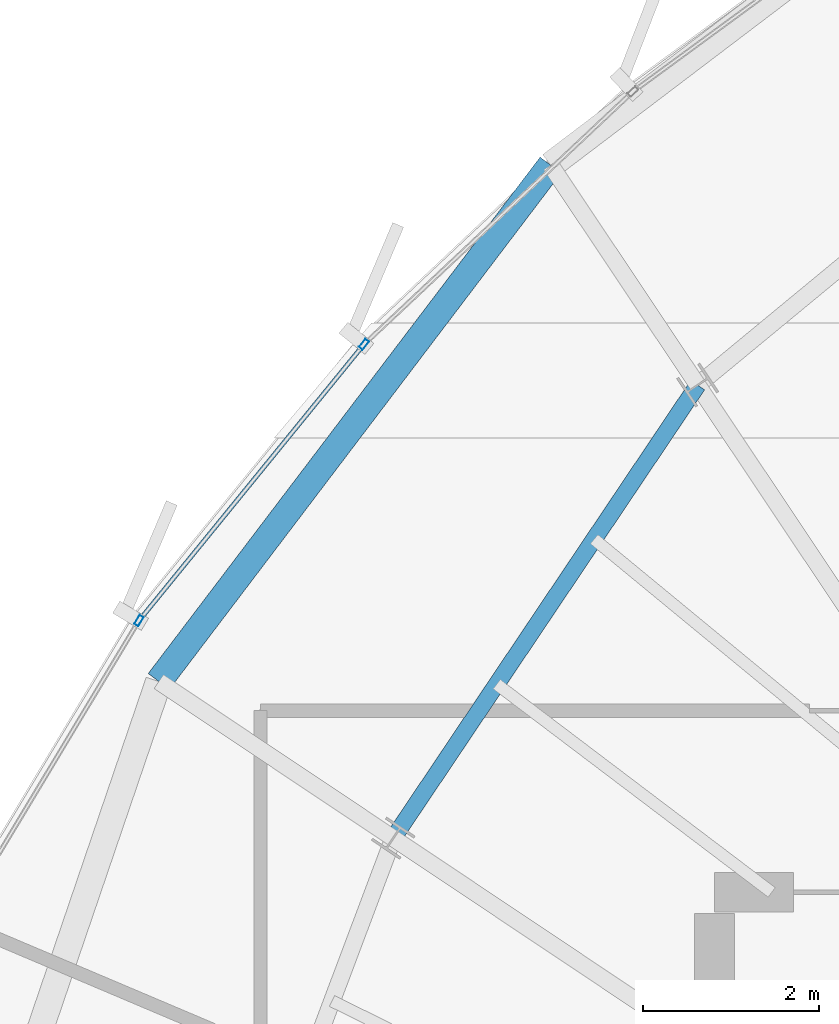
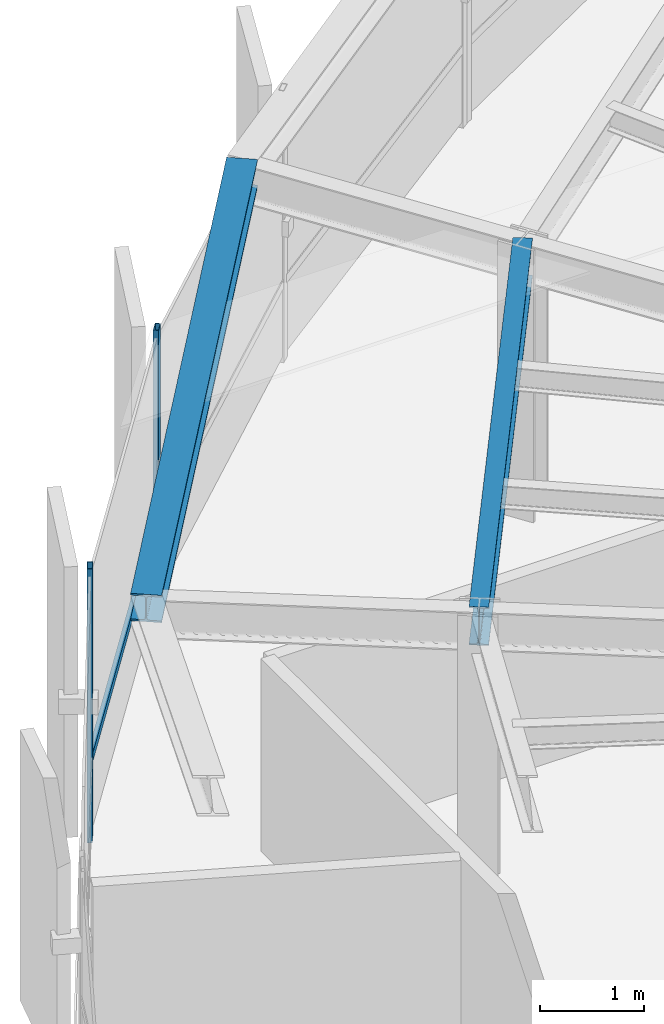
# One storey, part 18 of 33: 3 members, 2 beams, 1 element without a shape of its own.
"""IFC4 building model written with IfcOpenShell, lengths in metres."""

import ifcopenshell
import ifcopenshell.guid

model = None  # the IFC model being written
_history = None  # IfcOwnerHistory: only IFC2X3 demands one
_inside = {}  # id of a spatial element -> (the spatial element, [elements in it])
_under = {}  # id of a project, library or spatial element -> (it, [spatial elements below it])
_declared = {}  # id of a project -> (the project, [libraries it declares])
_typed = {}  # id of a type object -> (the type object, [elements of that type])
_made_of = {}  # id of a material, layer set ... -> (it, [elements and type objects made of it])


def new_model(schema):
    """Start an empty IFC model of exactly this schema.

    Asked for "IFC4X3", IfcOpenShell would pick the latest addendum, in which some entities
    have other attributes; the version numbers below select the first issue.
    IFC2X3 requires an IfcOwnerHistory on every rooted entity: one is made here for all.
    """
    global model, _history
    if schema == "IFC4X3":
        model = ifcopenshell.file(schema_version=(4, 3, 0, 0))
    else:
        model = ifcopenshell.file(schema=schema)
    _inside.clear()
    _under.clear()
    _declared.clear()
    _typed.clear()
    _made_of.clear()
    _history = None
    if model.schema == "IFC2X3":
        org = make("IfcOrganization", Name="unknown")
        user = make(
            "IfcPersonAndOrganization",
            ThePerson=make("IfcPerson", FamilyName="unknown"),
            TheOrganization=org,
        )
        app = make(
            "IfcApplication",
            ApplicationDeveloper=org,
            Version="unknown",
            ApplicationFullName="unknown",
            ApplicationIdentifier="unknown",
        )
        _history = make(
            "IfcOwnerHistory",
            OwningUser=user,
            OwningApplication=app,
            ChangeAction="ADDED",
            CreationDate=0,
        )
    return model


def make(cls, **values):
    """One entity of the class cls with the attributes given. An attribute that is None is left unset."""
    return model.create_entity(
        cls, **{name: value for name, value in values.items() if value is not None}
    )


def rooted(cls, **values):
    """An entity with a GlobalId (a new one), such as an element, a storey or a relation."""
    return make(cls, GlobalId=ifcopenshell.guid.new(), OwnerHistory=_history, **values)


def si_unit(unit_type, name, prefix=None):
    """IfcSIUnit, for example si_unit("LENGTHUNIT", "METRE", prefix="MILLI")."""
    return make("IfcSIUnit", UnitType=unit_type, Prefix=prefix, Name=name)


def assignment(units):
    """IfcUnitAssignment: the units of a project."""
    return None if units is None else make("IfcUnitAssignment", Units=units)


def point(xyz):
    """IfcCartesianPoint."""
    return None if xyz is None else make("IfcCartesianPoint", Coordinates=xyz)


def direction(xyz):
    """IfcDirection."""
    return None if xyz is None else make("IfcDirection", DirectionRatios=xyz)


def frame(location, z_axis=None, x_axis=None):
    """IfcAxis2Placement3D, a coordinate frame: its origin and axes. An axis left out is left unset."""
    return make(
        "IfcAxis2Placement3D",
        Location=point(location),
        Axis=direction(z_axis),
        RefDirection=direction(x_axis),
    )


def frame_2d(location, x_axis=None):
    """IfcAxis2Placement2D, a coordinate frame in the plane: its origin and x axis."""
    return make(
        "IfcAxis2Placement2D", Location=point(location), RefDirection=direction(x_axis)
    )


def origin():
    """The frame at (0, 0, 0) with its axes left unset."""
    return frame((0.0, 0.0, 0.0))


def origin_2d():
    """The frame at (0, 0) in the plane with its x axis left unset."""
    return frame_2d((0.0, 0.0))


def place(relative_to, where):
    """IfcLocalPlacement: puts the frame where relative to a parent placement (None: the world)."""
    return make(
        "IfcLocalPlacement", PlacementRelTo=relative_to, RelativePlacement=where
    )


def context(
    kind, dimensions, precision=None, world=None, true_north=None, identifier=None
):
    """IfcGeometricRepresentationContext, for example the 3D "Model" context."""
    return make(
        "IfcGeometricRepresentationContext",
        ContextIdentifier=identifier,
        ContextType=kind,
        CoordinateSpaceDimension=dimensions,
        Precision=precision,
        WorldCoordinateSystem=world,
        TrueNorth=true_north,
    )


def subcontext(parent, identifier, kind, view, scale=None):
    """IfcGeometricRepresentationSubContext, for example "Body" below "Model"."""
    return make(
        "IfcGeometricRepresentationSubContext",
        ContextIdentifier=identifier,
        ContextType=kind,
        ParentContext=parent,
        TargetScale=scale,
        TargetView=view,
    )


def project(units=None, contexts=None):
    """IfcProject with its units and contexts."""
    return rooted(
        "IfcProject",
        Name="project",
        RepresentationContexts=contexts,
        UnitsInContext=assignment(units),
    )


def spatial(cls, under=None, at=None, **own):
    """A site, building, storey or space (cls), placed at a placement, below another one or the project."""
    s = rooted(cls, ObjectPlacement=at, **own)
    if under is not None:
        _under.setdefault(under.id(), (under, []))[1].append(s)
    return s


def profile(cls, at=None, kind="AREA", **sizes):
    """A parametric profile (cls). Its sizes go by their IFC names, for example OverallWidth=200.0."""
    return make(cls, ProfileType=kind, Position=at, **sizes)


def hollow_rectangle(**sizes):
    """IfcRectangleHollowProfileDef."""
    return profile("IfcRectangleHollowProfileDef", **sizes)


def i_section(**sizes):
    """IfcIShapeProfileDef."""
    return profile("IfcIShapeProfileDef", **sizes)


def extrude(swept, where, along, depth):
    """IfcExtrudedAreaSolid: the profile swept, set in the frame where, extruded along a direction by depth."""
    return make(
        "IfcExtrudedAreaSolid",
        SweptArea=swept,
        Position=where,
        ExtrudedDirection=direction(along),
        Depth=depth,
    )


def shape(context_of_items, identifier, shape_type, items):
    """IfcShapeRepresentation: the items that make up one representation, for example the "Body"."""
    return make(
        "IfcShapeRepresentation",
        ContextOfItems=context_of_items,
        RepresentationIdentifier=identifier,
        RepresentationType=shape_type,
        Items=items,
    )


def source(mapping_origin, context_of_items, identifier, shape_type, items):
    """IfcRepresentationMap: a shape defined once, which mapped items show again and again."""
    return make(
        "IfcRepresentationMap",
        MappingOrigin=mapping_origin,
        MappedRepresentation=shape(context_of_items, identifier, shape_type, items),
    )


def transform(
    local_origin,
    x_axis=None,
    y_axis=None,
    z_axis=None,
    scale=None,
    scale2=None,
    scale3=None,
    uniform=True,
):
    """IfcCartesianTransformationOperator3D, or its non-uniform kind. x_axis, y_axis, z_axis: its Axis1, 2, 3."""
    if uniform:
        return make(
            "IfcCartesianTransformationOperator3D",
            Axis1=direction(x_axis),
            Axis2=direction(y_axis),
            LocalOrigin=point(local_origin),
            Scale=scale,
            Axis3=direction(z_axis),
        )
    return make(
        "IfcCartesianTransformationOperator3DnonUniform",
        Axis1=direction(x_axis),
        Axis2=direction(y_axis),
        LocalOrigin=point(local_origin),
        Scale=scale,
        Axis3=direction(z_axis),
        Scale2=scale2,
        Scale3=scale3,
    )


def mapped(mapping_source, mapping_target):
    """IfcMappedItem: shows the shape of a source again, moved by a transform."""
    return make(
        "IfcMappedItem", MappingSource=mapping_source, MappingTarget=mapping_target
    )


def material(Name=None, Category=None):
    """IfcMaterial."""
    return make("IfcMaterial", Name=Name, Category=Category)


def layer(
    of_material, thickness, ventilated=None, Name=None, Category=None, Priority=None
):
    """IfcMaterialLayer: one layer of a wall or slab, of a material (None: an air gap)."""
    return make(
        "IfcMaterialLayer",
        Material=of_material,
        LayerThickness=thickness,
        IsVentilated=ventilated,
        Name=Name,
        Category=Category,
        Priority=Priority,
    )


def layer_set(layers, Name=None):
    """IfcMaterialLayerSet."""
    return make("IfcMaterialLayerSet", MaterialLayers=layers, LayerSetName=Name)


def material_profile(
    of_material, cross_section, Name=None, Category=None, Priority=None
):
    """IfcMaterialProfile: a cross section and its material."""
    return make(
        "IfcMaterialProfile",
        Name=Name,
        Material=of_material,
        Profile=cross_section,
        Priority=Priority,
        Category=Category,
    )


def profile_set(profiles, Name=None, composite=None):
    """IfcMaterialProfileSet."""
    return make(
        "IfcMaterialProfileSet",
        Name=Name,
        MaterialProfiles=profiles,
        CompositeProfile=composite,
    )


def made_of(thing, what):
    """Note that an element or type object is made of a material, layer set ...; save() writes the relation."""
    if what is not None:
        _made_of.setdefault(what.id(), (what, []))[1].append(thing)
    return thing


def type_object(cls, material=None, **own):
    """A type object (cls), such as IfcWallType, which elements share."""
    return made_of(rooted(cls, **own), material)


def element(
    cls,
    number,
    at=None,
    inside=None,
    cuts=None,
    type_object=None,
    material=None,
    context=None,
    identifier="Body",
    shape_type=None,
    held_by="IfcProductDefinitionShape",
    body=None,
    shapes=None,
    **own,
):
    """One element of the class cls, such as IfcWall. Its Tag is "e" and its number.

    at: its placement. inside: the storey or other place that contains it. cuts: it is an
    opening in that element (IfcRelVoidsElement). A single representation is given by context,
    identifier, shape_type and body (its items); several are given by shapes. held_by: the class
    of the entity that holds the representations. save() writes the other relations.
    """
    e = rooted(cls, Tag="e%d" % number, ObjectPlacement=at, **own)
    if body is not None:
        shapes = [shape(context, identifier, shape_type, body)]
    if shapes is not None:
        e.Representation = make(held_by, Representations=shapes)
    if inside is not None:
        _inside.setdefault(inside.id(), (inside, []))[1].append(e)
    if cuts is not None:
        rooted(
            "IfcRelVoidsElement", RelatingBuildingElement=cuts, RelatedOpeningElement=e
        )
    if type_object is not None:
        _typed.setdefault(type_object.id(), (type_object, []))[1].append(e)
    return made_of(e, material)


def aggregate(whole, parts):
    """IfcRelAggregates: a whole, such as a stair, and the parts it consists of."""
    return rooted("IfcRelAggregates", RelatingObject=whole, RelatedObjects=parts)


def save(model, path):
    """Write the relations noted so far, then the file.

    IfcRelAggregates (storeys below a building ...), IfcRelContainedInSpatialStructure (elements
    in a storey), IfcRelDefinesByType, IfcRelAssociatesMaterial and IfcRelDeclares: one each for
    every whole, place, type object, material and project.
    """
    for whole, parts in _under.values():
        aggregate(whole, parts)
    for where, things in _inside.values():
        rooted(
            "IfcRelContainedInSpatialStructure",
            RelatedElements=things,
            RelatingStructure=where,
        )
    for kind, things in _typed.values():
        rooted("IfcRelDefinesByType", RelatedObjects=things, RelatingType=kind)
    for what, things in _made_of.values():
        rooted("IfcRelAssociatesMaterial", RelatedObjects=things, RelatingMaterial=what)
    for by, libraries in _declared.values():
        rooted("IfcRelDeclares", RelatingContext=by, RelatedDefinitions=libraries)
    model.write(path)


model = new_model("IFC4")

# Units and contexts
model_context = context("Model", 3, precision=1e-05, world=origin(), true_north=direction((0.0, 1.0)))
body_context = subcontext(model_context, "Body", "Model", "MODEL_VIEW")
ifc_project = project(units=[si_unit("LENGTHUNIT", "METRE"), si_unit("AREAUNIT", "SQUARE_METRE"), si_unit("VOLUMEUNIT", "CUBIC_METRE"), si_unit("PLANEANGLEUNIT", "RADIAN"), si_unit("MASSUNIT", "GRAM", prefix="KILO"), si_unit("THERMODYNAMICTEMPERATUREUNIT", "KELVIN")], contexts=[model_context])

# Site, building, storey
site_placement = place(None, origin())
site = spatial("IfcSite", under=ifc_project, at=site_placement, CompositionType="ELEMENT")
building_placement = place(site_placement, origin())
building = spatial("IfcBuilding", under=site, at=building_placement, Name="Kethvar Cultural Tower", CompositionType="ELEMENT")
storey_placement = place(building_placement, frame((0.0, 0.0, 256.0)))
storey = spatial("IfcBuildingStorey", under=building, at=storey_placement, Name="L67", CompositionType="ELEMENT", Elevation=256.0)

# Beams
ifc_material_1 = material(Name="Steel S355J2", Category="steel")
ifc_material_profile_1 = material_profile(ifc_material_1, i_section(OverallWidth=0.18994140625, OverallDepth=0.449951171875, WebThickness=0.009521484375, FlangeThickness=0.0146484375, FilletRadius=0.02099609375, at=origin_2d()), Name="Steel S355J2 — IPE450")
ifc_profile_set_1 = profile_set([ifc_material_profile_1], Name="Steel S355J2 — IPE450")
beam_type_1 = type_object("IfcBeamType", Name="BM-IPE450", PredefinedType="BEAM", material=ifc_profile_set_1)
shared_shape_1 = source(origin(), body_context, "Body", "SweptSolid", [
    extrude(i_section(OverallWidth=0.18994140625, OverallDepth=0.449951171875, WebThickness=0.009521484375, FlangeThickness=0.0146484375, FilletRadius=0.02099609375, at=origin_2d()), origin(), (0.0, 0.0, 1.0), 6.192626953125),
])
beam_1_placement = place(storey_placement, frame((37.8095703125, 41.255126953125, 2.98291015625), z_axis=(-0.557698912025, -0.830043326295, 0.0), x_axis=(0.830043326295, -0.557698912025, 0.0)))
element("IfcBeam", 1, at=beam_1_placement, inside=storey, type_object=beam_type_1, Name="L67 Column Ring Tie Beam CR-06", PredefinedType="BEAM", context=body_context, shape_type="MappedRepresentation", body=[
    mapped(shared_shape_1, transform((0.0, 0.0, 0.0), scale=1.0)),
])
ifc_material_profile_2 = material_profile(ifc_material_1, i_section(OverallWidth=0.300048828125, OverallDepth=0.320068359375, WebThickness=0.011474609375, FlangeThickness=0.0205078125, FilletRadius=0.027099609375, at=origin_2d()), Name="Steel S355J2 — HEB320")
ifc_profile_set_2 = profile_set([ifc_material_profile_2], Name="Steel S355J2 — HEB320")
beam_type_2 = type_object("IfcBeamType", Name="BM-SP320", PredefinedType="SPANDREL", material=ifc_profile_set_2)
shared_shape_2 = source(origin(), body_context, "Body", "SweptSolid", [
    extrude(i_section(OverallWidth=0.300048828125, OverallDepth=0.320068359375, WebThickness=0.011474609375, FlangeThickness=0.0205078125, FilletRadius=0.027099609375, at=origin_2d()), origin(), (0.0, 0.0, 1.0), 7.35498046875),
])
beam_2_placement = place(storey_placement, frame((36.141845703125, 43.751220703125, 3.048095703125), z_axis=(-0.604563008712, -0.796557322794, 0.0), x_axis=(0.796557322794, -0.604563008712, 0.0)))
element("IfcBeam", 2, at=beam_2_placement, inside=storey, type_object=beam_type_2, Name="L67 Perimeter Spandrel Beam SP-06", PredefinedType="SPANDREL", context=body_context, shape_type="MappedRepresentation", body=[
    mapped(shared_shape_2, transform((0.0, 0.0, 0.0), scale=1.0)),
])

# Curtain wall, members
ifc_material_2 = material(Name="Aluminium 6063-T6", Category="aluminium")
ifc_layer = layer(ifc_material_2, 0.179931640625, Name="Aluminium 6063-T6", Category="aluminium")
ifc_layer_set = layer_set([ifc_layer], Name="Aluminium 6063-T6 (180 mm)")
curtain_wall_type = type_object("IfcCurtainWallType", Name="CW-SYS-05-Z56", PredefinedType="NOTDEFINED", material=ifc_layer_set)
curtain_wall_placement = place(storey_placement, origin())
curtain_wall = element("IfcCurtainWall", 3, at=curtain_wall_placement, inside=storey, type_object=curtain_wall_type, Name="L67 Curtain Wall Run 02", PredefinedType="NOTDEFINED")
ifc_material_profile_3 = material_profile(ifc_material_2, hollow_rectangle(XDim=0.054931640625, YDim=0.1201171875, WallThickness=0.00390625, at=origin_2d()), Name="Aluminium 6063-T6 — RHS120x55x4")
ifc_profile_set_3 = profile_set([ifc_material_profile_3], Name="Aluminium 6063-T6 — RHS120x55x4")
member_type_1 = type_object("IfcMemberType", Name="CW-SYS-05-Z56-MUL", PredefinedType="MULLION", material=ifc_profile_set_3)
shared_shape_3 = source(origin(), body_context, "Body", "SweptSolid", [
    extrude(hollow_rectangle(XDim=0.054931640625, YDim=0.1201171875, WallThickness=0.00390625, at=origin_2d()), origin(), (0.0, 0.0, 1.0), 3.2099609375),
])
member_1_placement = place(storey_placement, frame((34.02294921875, 41.71728515625, 0.0), z_axis=(0.0, 0.0, 1.0), x_axis=(0.775539818022, -0.631298654095, 0.0)))
member_1 = element("IfcMember", 4, at=member_1_placement, type_object=member_type_1, Name="CW-L67-R02 Mullion 3", PredefinedType="MULLION", context=body_context, shape_type="MappedRepresentation", body=[
    mapped(shared_shape_3, transform((0.0, 0.0, 0.0), scale=1.0)),
])
member_2_placement = place(storey_placement, frame((31.47021484375, 38.582763671875, 0.0), z_axis=(0.0, 0.0, 1.0), x_axis=(0.8571852784, -0.515008153813, 0.0)))
member_2 = element("IfcMember", 5, at=member_2_placement, type_object=member_type_1, Name="CW-L67-R02 Mullion 4", PredefinedType="MULLION", context=body_context, shape_type="MappedRepresentation", body=[
    mapped(shared_shape_3, transform((0.0, 0.0, 0.0), scale=1.0)),
])
ifc_material_profile_4 = material_profile(ifc_material_2, hollow_rectangle(XDim=0.050048828125, YDim=0.10009765625, WallThickness=0.00390625, at=origin_2d()), Name="Aluminium 6063-T6 — RHS100x50x4")
ifc_profile_set_4 = profile_set([ifc_material_profile_4], Name="Aluminium 6063-T6 — RHS100x50x4")
member_type_2 = type_object("IfcMemberType", Name="CW-SYS-05-Z56-TRN", PredefinedType="USERDEFINED", material=ifc_profile_set_4)
shared_shape_4 = source(origin(), body_context, "Body", "SweptSolid", [
    extrude(hollow_rectangle(XDim=0.050048828125, YDim=0.10009765625, WallThickness=0.00390625, at=origin_2d()), origin(), (0.0, 0.0, 1.0), 3.977294921875),
])
member_3_placement = place(storey_placement, frame((33.997802734375, 41.6865234375, 0.949951171875), z_axis=(-0.631260235988, -0.775571089237, 0.0), x_axis=(0.775571089237, -0.631260235988, 0.0)))
member_3 = element("IfcMember", 6, at=member_3_placement, type_object=member_type_2, Name="CW-L67-R02 Transom 3", ObjectType="TRANSOM", PredefinedType="USERDEFINED", context=body_context, shape_type="MappedRepresentation", body=[
    mapped(shared_shape_4, transform((0.0, 0.0, 0.0), scale=1.0)),
])
aggregate(curtain_wall, [member_1, member_2, member_3])

save(model, "model.ifc")
